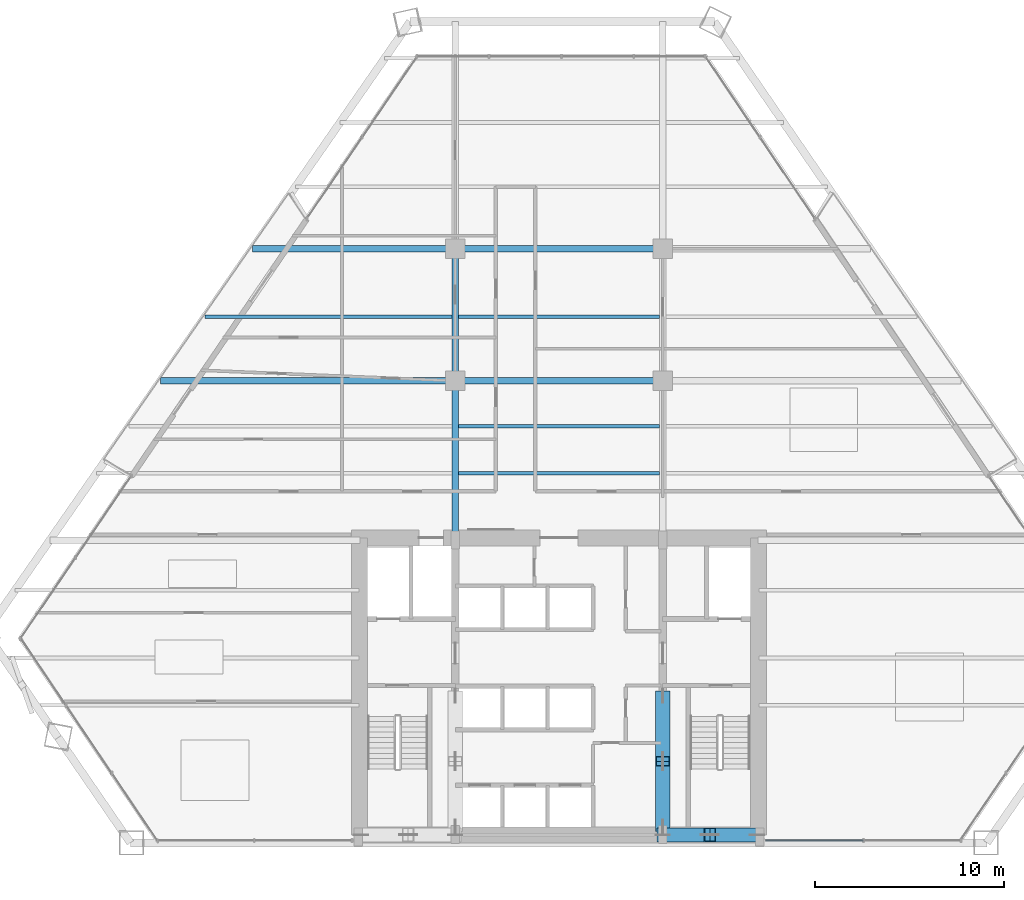
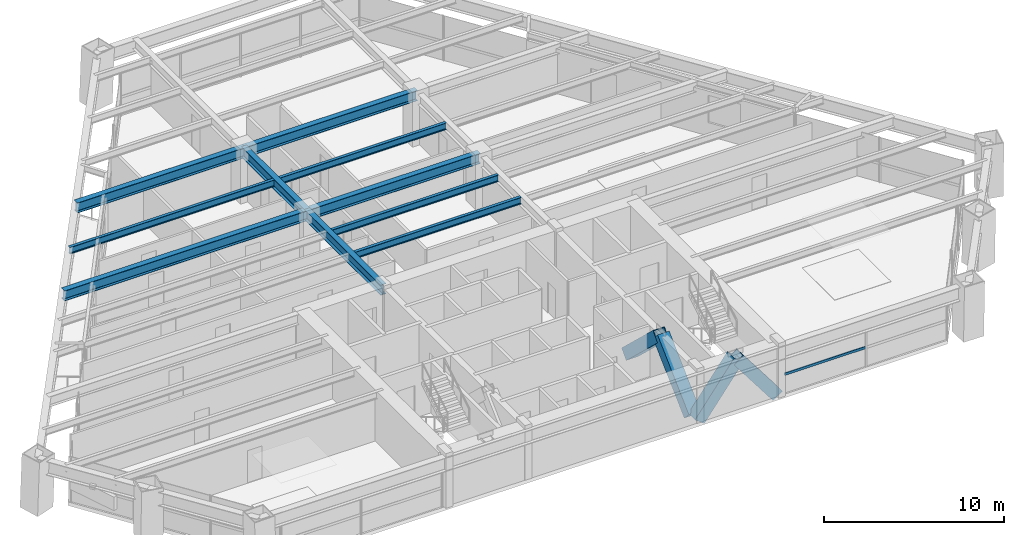
# One storey, part 5 of 14: 10 beams, 5 members, 1 element without a shape of its own.
"""IFC4 building model written with IfcOpenShell, lengths in metres."""

from ifc_helpers import new_model, si_unit, direction, frame, origin, origin_2d, place, context, subcontext, project, spatial, rectangle, hollow_rectangle, i_section, extrude, source, transform, mapped, material, material_profile, profile_set, type_object, type_shapes, element, aggregate, save


model = new_model("IFC4")

# Units and contexts
model_context = context("Model", 3, precision=1e-05, world=origin(), true_north=direction((0.0, 1.0)))
body_context = subcontext(model_context, "Body", "Model", "MODEL_VIEW")
ifc_project = project(units=[si_unit("LENGTHUNIT", "METRE"), si_unit("AREAUNIT", "SQUARE_METRE"), si_unit("VOLUMEUNIT", "CUBIC_METRE"), si_unit("PLANEANGLEUNIT", "RADIAN"), si_unit("MASSUNIT", "GRAM", prefix="KILO")], contexts=[model_context])

# Site, building, storey
site_placement = place(None, origin())
site = spatial("IfcSite", under=ifc_project, at=site_placement, CompositionType="ELEMENT")
building_placement = place(site_placement, origin())
building = spatial("IfcBuilding", under=site, at=building_placement, Name="Varnakhor Terracotta Tower", CompositionType="ELEMENT")
storey_placement = place(building_placement, frame((0.0, 0.0, 38.60009765625)))
storey = spatial("IfcBuildingStorey", under=building, at=storey_placement, Name="L08", CompositionType="ELEMENT", Elevation=38.60009765625)

# Beams
ifc_material_1 = material(Name="Steel S355", Category="steel")
ifc_material_profile_1 = material_profile(ifc_material_1, i_section(OverallWidth=0.35498046875, OverallDepth=0.695068359375, WebThickness=0.014892578125, FlangeThickness=0.02490234375, FilletRadius=0.01806640625, at=origin_2d()), Name="W27X146")
ifc_profile_set_1 = profile_set([ifc_material_profile_1], Name="Steel S355")
beam_type_1 = type_object("IfcBeamType", Name="BM-W27X146", PredefinedType="BEAM", material=ifc_profile_set_1)
shared_shape_1 = source(origin(), body_context, "Body", "SweptSolid", [
    extrude(i_section(OverallWidth=0.35498046875, OverallDepth=0.695068359375, WebThickness=0.014892578125, FlangeThickness=0.02490234375, FilletRadius=0.01806640625, at=origin_2d()), origin(), (0.0, 0.0, 1.0), 8.449951171875),
])
type_shapes(beam_type_1, [shared_shape_1])
beam_1_placement = place(storey_placement, frame((-5.5, 16.050048828125, 3.102294921875), z_axis=(0.0, 1.0, 0.0), x_axis=(-1.0, 0.0, 0.0)))
element("IfcBeam", 1, at=beam_1_placement, inside=storey, type_object=beam_type_1, Name="L08 Primary Girder NS1-W", PredefinedType="BEAM", context=body_context, shape_type="MappedRepresentation", body=[
    mapped(shared_shape_1, transform((0.0, 0.0, 0.0), scale=1.0)),
])
shared_shape_2 = source(origin(), body_context, "Body", "SweptSolid", [
    extrude(i_section(OverallWidth=0.35498046875, OverallDepth=0.695068359375, WebThickness=0.014892578125, FlangeThickness=0.02490234375, FilletRadius=0.01806640625, at=origin_2d()), origin(), (0.0, 0.0, 1.0), 7.0),
])
beam_2_placement = place(storey_placement, frame((-5.5, 24.5, 3.102294921875), z_axis=(0.0, 1.0, 0.0), x_axis=(-1.0, 0.0, 0.0)))
element("IfcBeam", 2, at=beam_2_placement, inside=storey, type_object=beam_type_1, Name="L08 Primary Girder NS2-W", PredefinedType="BEAM", context=body_context, shape_type="MappedRepresentation", body=[
    mapped(shared_shape_2, transform((0.0, 0.0, 0.0), scale=1.0)),
])
shared_shape_3 = source(origin(), body_context, "Body", "SweptSolid", [
    extrude(i_section(OverallWidth=0.35498046875, OverallDepth=0.695068359375, WebThickness=0.014892578125, FlangeThickness=0.02490234375, FilletRadius=0.01806640625, at=origin_2d()), origin(), (0.0, 0.0, 1.0), 11.0),
])
for number, where, z_axis, x_axis, name in (
    (3, (-5.5, 24.5, 3.102294921875), (1.0, 0.0, 0.0), (0.0, 1.0, 0.0), "L08 Primary Girder EW2-2"),
    (4, (-5.5, 31.5, 3.102294921875), (1.0, 0.0, 0.0), (0.0, 1.0, 0.0), "L08 Primary Girder EW3-2"),
):
    element("IfcBeam", number, at=place(storey_placement, frame(where, z_axis=z_axis, x_axis=x_axis)), inside=storey, type_object=beam_type_1, Name=name, PredefinedType="BEAM", context=body_context, shape_type="MappedRepresentation", body=[
        mapped(shared_shape_3, transform((0.0, 0.0, 0.0), scale=1.0)),
    ])
ifc_material_profile_2 = material_profile(ifc_material_1, i_section(OverallWidth=0.19189453125, OverallDepth=0.462890625, WebThickness=0.010498046875, FlangeThickness=0.017578125, FilletRadius=0.01806640625, at=origin_2d()), Name="W18X60")
ifc_profile_set_2 = profile_set([ifc_material_profile_2], Name="Steel S355")
beam_type_2 = type_object("IfcBeamType", Name="JST-W18X60", PredefinedType="JOIST", material=ifc_profile_set_2)
shared_shape_4 = source(origin(), body_context, "Body", "SweptSolid", [
    extrude(i_section(OverallWidth=0.19189453125, OverallDepth=0.462890625, WebThickness=0.010498046875, FlangeThickness=0.017578125, FilletRadius=0.01806640625, at=origin_2d()), origin(), (0.0, 0.0, 1.0), 10.65283203125),
])
for number, where, z_axis, x_axis, name in (
    (5, (-5.326416015625, 19.60009765625, 3.218505859375), (1.0, 0.0, 0.0), (0.0, 1.0, 0.0), "L08 Composite Floor Joist 4-2"),
    (6, (-5.326416015625, 22.10009765625, 3.218505859375), (1.0, 0.0, 0.0), (0.0, 1.0, 0.0), "L08 Composite Floor Joist 5-2"),
    (7, (-5.326416015625, 27.89990234375, 3.218505859375), (1.0, 0.0, 0.0), (0.0, 1.0, 0.0), "L08 Composite Floor Joist 6-2"),
):
    element("IfcBeam", number, at=place(storey_placement, frame(where, z_axis=z_axis, x_axis=x_axis)), inside=storey, type_object=beam_type_2, Name=name, PredefinedType="JOIST", context=body_context, shape_type="MappedRepresentation", body=[
        mapped(shared_shape_4, transform((0.0, 0.0, 0.0), scale=1.0)),
    ])

# Member
ifc_material_2 = material(Name="Steel S460", Category="steel")
ifc_material_profile_3 = material_profile(ifc_material_2, hollow_rectangle(XDim=0.75, YDim=0.75, WallThickness=0.044921875, at=origin_2d()), Name="HSS750X750X45")
ifc_profile_set_3 = profile_set([ifc_material_profile_3], Name="Steel S460")
member_type_1 = type_object("IfcMemberType", Name="MBR-MEGA-750", PredefinedType="BRACE", material=ifc_profile_set_3)
shared_shape_5 = source(origin(), body_context, "Body", "SweptSolid", [
    extrude(hollow_rectangle(XDim=0.75, YDim=0.75, WallThickness=0.044921875, at=origin_2d()), origin(), (0.0, 0.0, 1.0), 4.792236328125),
])
member_1_placement = place(storey_placement, frame((5.5, 7.800048828125, 0.0), z_axis=(0.0, -0.72515968173, 0.688580740359), x_axis=(1.0, 0.0, 0.0)))
element("IfcMember", 8, at=member_1_placement, inside=storey, type_object=member_type_1, Name="L08 Core Coupled Brace CWEB", PredefinedType="BRACE", context=body_context, shape_type="MappedRepresentation", body=[
    mapped(shared_shape_5, transform((0.0, 0.0, 0.0), scale=1.0)),
])

# Beams
shared_shape_6 = source(origin(), body_context, "Body", "SweptSolid", [
    extrude(i_section(OverallWidth=0.35498046875, OverallDepth=0.695068359375, WebThickness=0.014892578125, FlangeThickness=0.02490234375, FilletRadius=0.01806640625, at=origin_2d()), origin(), (0.0, 0.0, 1.0), 15.6279296875),
])
beam_3_placement = place(storey_placement, frame((-21.1279296875, 24.5, 3.102294921875), z_axis=(1.0, 0.0, 0.0), x_axis=(0.0, 1.0, 0.0)))
element("IfcBeam", 9, at=beam_3_placement, inside=storey, type_object=beam_type_1, Name="L08 Primary Girder EW2-1", PredefinedType="BEAM", context=body_context, shape_type="MappedRepresentation", body=[
    mapped(shared_shape_6, transform((0.0, 0.0, 0.0), scale=1.0)),
])
shared_shape_7 = source(origin(), body_context, "Body", "SweptSolid", [
    extrude(i_section(OverallWidth=0.35498046875, OverallDepth=0.695068359375, WebThickness=0.014892578125, FlangeThickness=0.02490234375, FilletRadius=0.01806640625, at=origin_2d()), origin(), (0.0, 0.0, 1.0), 10.763916015625),
])
beam_4_placement = place(storey_placement, frame((-16.263916015625, 31.5, 3.102294921875), z_axis=(1.0, 0.0, 0.0), x_axis=(0.0, 1.0, 0.0)))
element("IfcBeam", 10, at=beam_4_placement, inside=storey, type_object=beam_type_1, Name="L08 Primary Girder EW3-1", PredefinedType="BEAM", context=body_context, shape_type="MappedRepresentation", body=[
    mapped(shared_shape_7, transform((0.0, 0.0, 0.0), scale=1.0)),
])
shared_shape_8 = source(origin(), body_context, "Body", "SweptSolid", [
    extrude(i_section(OverallWidth=0.19189453125, OverallDepth=0.462890625, WebThickness=0.010498046875, FlangeThickness=0.017578125, FilletRadius=0.01806640625, at=origin_2d()), origin(), (0.0, 0.0, 1.0), 13.091796875),
])
beam_5_placement = place(storey_placement, frame((-18.765380859375, 27.89990234375, 3.218505859375), z_axis=(1.0, 0.0, 0.0), x_axis=(0.0, 1.0, 0.0)))
element("IfcBeam", 11, at=beam_5_placement, inside=storey, type_object=beam_type_2, Name="L08 Composite Floor Joist 6-1", PredefinedType="JOIST", context=body_context, shape_type="MappedRepresentation", body=[
    mapped(shared_shape_8, transform((0.0, 0.0, 0.0), scale=1.0)),
])

# Members
shared_shape_9 = source(origin(), body_context, "Body", "SweptSolid", [
    extrude(hollow_rectangle(XDim=0.75, YDim=0.75, WallThickness=0.044921875, at=origin_2d()), origin(), (0.0, 0.0, 1.0), 4.139892578125),
])
for number, where, z_axis, x_axis, name in (
    (12, (5.5, 0.419921875, 0.0), (0.603880396023, 0.0, 0.797074944594), (0.0, 1.0, 0.0), "L08 Core Coupled Brace CSEA"),
    (13, (10.5, 0.419921875, 0.0), (-0.603880396023, 0.0, 0.797074944594), (0.0, -1.0, 0.0), "L08 Core Coupled Brace CSEB"),
):
    element("IfcMember", number, at=place(storey_placement, frame(where, z_axis=z_axis, x_axis=x_axis)), inside=storey, type_object=member_type_1, Name=name, PredefinedType="BRACE", context=body_context, shape_type="MappedRepresentation", body=[
        mapped(shared_shape_9, transform((0.0, 0.0, 0.0), scale=1.0)),
    ])
shared_shape_10 = source(origin(), body_context, "Body", "SweptSolid", [
    extrude(hollow_rectangle(XDim=0.75, YDim=0.75, WallThickness=0.044921875, at=origin_2d()), origin(), (0.0, 0.0, 1.0), 4.7919921875),
])
member_2_placement = place(storey_placement, frame((5.5, 0.85009765625, 0.0), z_axis=(0.0, 0.725135524869, 0.688606179592), x_axis=(-1.0, 0.0, 0.0)))
element("IfcMember", 14, at=member_2_placement, inside=storey, type_object=member_type_1, Name="L08 Core Coupled Brace CWEA", PredefinedType="BRACE", context=body_context, shape_type="MappedRepresentation", body=[
    mapped(shared_shape_10, transform((0.0, 0.0, 0.0), scale=1.0)),
])

# Curtain wall, member
ifc_material_3 = material(Name="Anodised Aluminium Curtain Wall System", Category="aluminium")
curtain_wall_type = type_object("IfcCurtainWallType", Name="CW-SYS-LOW-OFFICE", PredefinedType="NOTDEFINED", material=ifc_material_3)
curtain_wall_placement = place(storey_placement, origin())
curtain_wall = element("IfcCurtainWall", 15, at=curtain_wall_placement, inside=storey, type_object=curtain_wall_type, Name="L08 South Wing Curtain Wall SSE", PredefinedType="NOTDEFINED")
ifc_material_4 = material(Name="Anodised Aluminium 6063-T6", Category="aluminium")
ifc_material_profile_4 = material_profile(ifc_material_4, rectangle(XDim=0.074951171875, YDim=0.1650390625, at=origin_2d()), Name="ALU TRANSOM 75x165")
ifc_profile_set_4 = profile_set([ifc_material_profile_4], Name="Anodised Aluminium 6063-T6")
member_type_2 = type_object("IfcMemberType", Name="CWT-02", PredefinedType="USERDEFINED", material=ifc_profile_set_4)
shared_shape_11 = source(origin(), body_context, "Body", "SweptSolid", [
    extrude(rectangle(XDim=0.074951171875, YDim=0.1650390625, at=origin_2d()), origin(), (0.0, 0.0, 1.0), 5.17578125),
])
member_3_placement = place(storey_placement, frame((16.145751953125, 0.1201171875, 1.2724609375), z_axis=(-1.0, 0.0, 0.0), x_axis=(0.0, -1.0, 0.0)))
member_3 = element("IfcMember", 16, at=member_3_placement, type_object=member_type_2, Name="L08 South Wing Curtain Wall SSE Transom 2", ObjectType="TRANSOM", PredefinedType="USERDEFINED", context=body_context, shape_type="MappedRepresentation", body=[
    mapped(shared_shape_11, transform((0.0, 0.0, 0.0), scale=1.0)),
])
aggregate(curtain_wall, [member_3])

save(model, "model.ifc")
